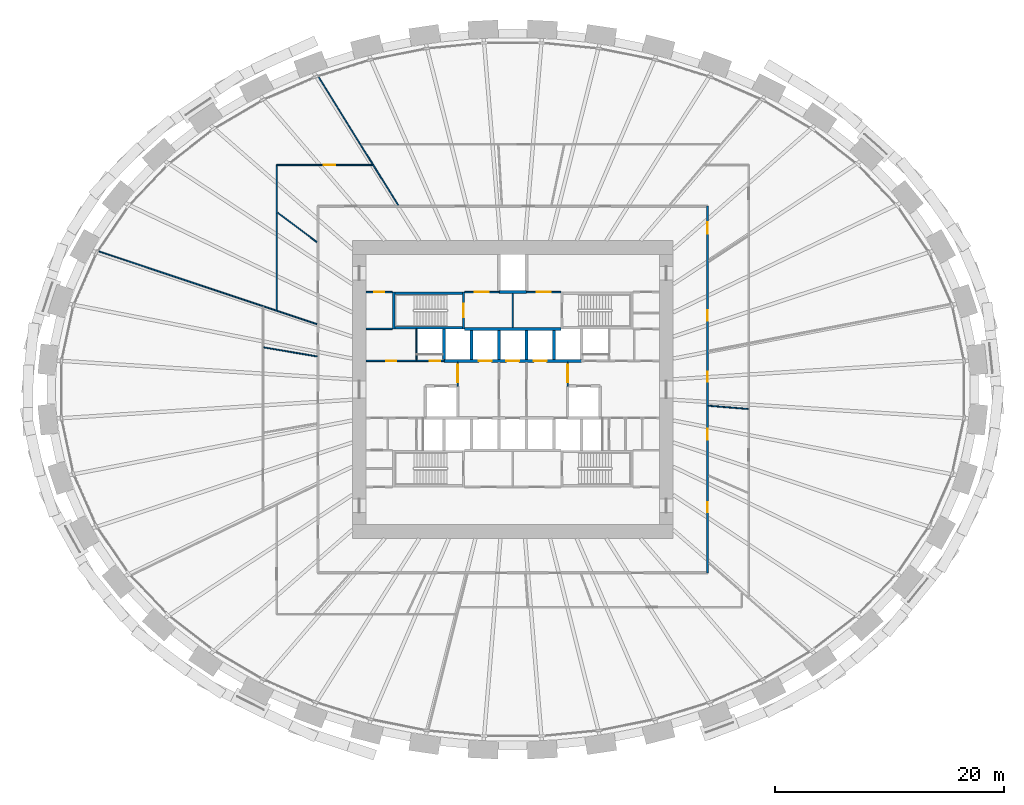
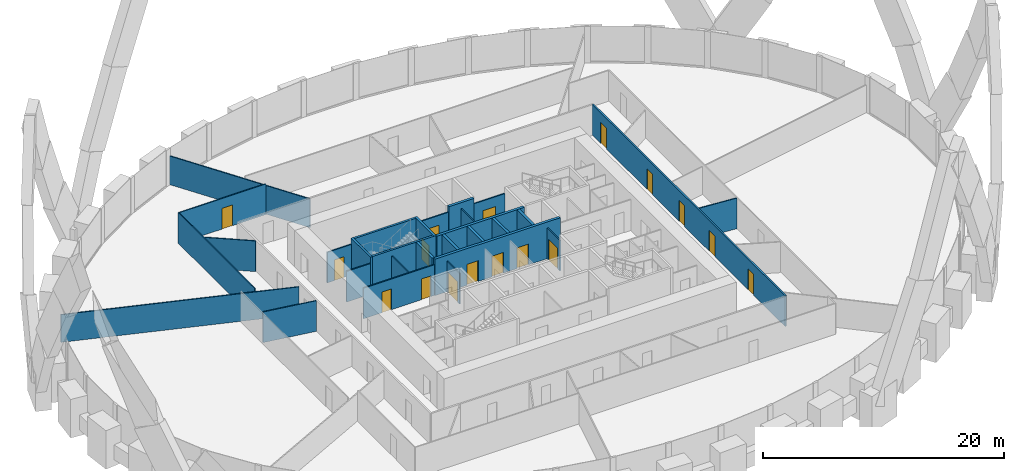
# One storey, part 9 of 12: 29 walls, 17 doors, 17 openings.
"""IFC4 building model written with IfcOpenShell, lengths in metres."""

import ifcopenshell
import ifcopenshell.guid

model = None  # the IFC model being written
_history = None  # IfcOwnerHistory: only IFC2X3 demands one
_inside = {}  # id of a spatial element -> (the spatial element, [elements in it])
_under = {}  # id of a project, library or spatial element -> (it, [spatial elements below it])
_declared = {}  # id of a project -> (the project, [libraries it declares])
_typed = {}  # id of a type object -> (the type object, [elements of that type])
_made_of = {}  # id of a material, layer set ... -> (it, [elements and type objects made of it])


def new_model(schema):
    """Start an empty IFC model of exactly this schema.

    Asked for "IFC4X3", IfcOpenShell would pick the latest addendum, in which some entities
    have other attributes; the version numbers below select the first issue.
    IFC2X3 requires an IfcOwnerHistory on every rooted entity: one is made here for all.
    """
    global model, _history
    if schema == "IFC4X3":
        model = ifcopenshell.file(schema_version=(4, 3, 0, 0))
    else:
        model = ifcopenshell.file(schema=schema)
    _inside.clear()
    _under.clear()
    _declared.clear()
    _typed.clear()
    _made_of.clear()
    _history = None
    if model.schema == "IFC2X3":
        org = make("IfcOrganization", Name="unknown")
        user = make(
            "IfcPersonAndOrganization",
            ThePerson=make("IfcPerson", FamilyName="unknown"),
            TheOrganization=org,
        )
        app = make(
            "IfcApplication",
            ApplicationDeveloper=org,
            Version="unknown",
            ApplicationFullName="unknown",
            ApplicationIdentifier="unknown",
        )
        _history = make(
            "IfcOwnerHistory",
            OwningUser=user,
            OwningApplication=app,
            ChangeAction="ADDED",
            CreationDate=0,
        )
    return model


def make(cls, **values):
    """One entity of the class cls with the attributes given. An attribute that is None is left unset."""
    return model.create_entity(
        cls, **{name: value for name, value in values.items() if value is not None}
    )


def rooted(cls, **values):
    """An entity with a GlobalId (a new one), such as an element, a storey or a relation."""
    return make(cls, GlobalId=ifcopenshell.guid.new(), OwnerHistory=_history, **values)


def si_unit(unit_type, name, prefix=None):
    """IfcSIUnit, for example si_unit("LENGTHUNIT", "METRE", prefix="MILLI")."""
    return make("IfcSIUnit", UnitType=unit_type, Prefix=prefix, Name=name)


def assignment(units):
    """IfcUnitAssignment: the units of a project."""
    return None if units is None else make("IfcUnitAssignment", Units=units)


def point(xyz):
    """IfcCartesianPoint."""
    return None if xyz is None else make("IfcCartesianPoint", Coordinates=xyz)


def direction(xyz):
    """IfcDirection."""
    return None if xyz is None else make("IfcDirection", DirectionRatios=xyz)


def frame(location, z_axis=None, x_axis=None):
    """IfcAxis2Placement3D, a coordinate frame: its origin and axes. An axis left out is left unset."""
    return make(
        "IfcAxis2Placement3D",
        Location=point(location),
        Axis=direction(z_axis),
        RefDirection=direction(x_axis),
    )


def frame_2d(location, x_axis=None):
    """IfcAxis2Placement2D, a coordinate frame in the plane: its origin and x axis."""
    return make(
        "IfcAxis2Placement2D", Location=point(location), RefDirection=direction(x_axis)
    )


def origin():
    """The frame at (0, 0, 0) with its axes left unset."""
    return frame((0.0, 0.0, 0.0))


def place(relative_to, where):
    """IfcLocalPlacement: puts the frame where relative to a parent placement (None: the world)."""
    return make(
        "IfcLocalPlacement", PlacementRelTo=relative_to, RelativePlacement=where
    )


def context(
    kind, dimensions, precision=None, world=None, true_north=None, identifier=None
):
    """IfcGeometricRepresentationContext, for example the 3D "Model" context."""
    return make(
        "IfcGeometricRepresentationContext",
        ContextIdentifier=identifier,
        ContextType=kind,
        CoordinateSpaceDimension=dimensions,
        Precision=precision,
        WorldCoordinateSystem=world,
        TrueNorth=true_north,
    )


def subcontext(parent, identifier, kind, view, scale=None):
    """IfcGeometricRepresentationSubContext, for example "Body" below "Model"."""
    return make(
        "IfcGeometricRepresentationSubContext",
        ContextIdentifier=identifier,
        ContextType=kind,
        ParentContext=parent,
        TargetScale=scale,
        TargetView=view,
    )


def project(units=None, contexts=None):
    """IfcProject with its units and contexts."""
    return rooted(
        "IfcProject",
        Name="project",
        RepresentationContexts=contexts,
        UnitsInContext=assignment(units),
    )


def spatial(cls, under=None, at=None, **own):
    """A site, building, storey or space (cls), placed at a placement, below another one or the project."""
    s = rooted(cls, ObjectPlacement=at, **own)
    if under is not None:
        _under.setdefault(under.id(), (under, []))[1].append(s)
    return s


def profile(cls, at=None, kind="AREA", **sizes):
    """A parametric profile (cls). Its sizes go by their IFC names, for example OverallWidth=200.0."""
    return make(cls, ProfileType=kind, Position=at, **sizes)


def rectangle(**sizes):
    """IfcRectangleProfileDef."""
    return profile("IfcRectangleProfileDef", **sizes)


def extrude(swept, where, along, depth):
    """IfcExtrudedAreaSolid: the profile swept, set in the frame where, extruded along a direction by depth."""
    return make(
        "IfcExtrudedAreaSolid",
        SweptArea=swept,
        Position=where,
        ExtrudedDirection=direction(along),
        Depth=depth,
    )


def shape(context_of_items, identifier, shape_type, items):
    """IfcShapeRepresentation: the items that make up one representation, for example the "Body"."""
    return make(
        "IfcShapeRepresentation",
        ContextOfItems=context_of_items,
        RepresentationIdentifier=identifier,
        RepresentationType=shape_type,
        Items=items,
    )


def source(mapping_origin, context_of_items, identifier, shape_type, items):
    """IfcRepresentationMap: a shape defined once, which mapped items show again and again."""
    return make(
        "IfcRepresentationMap",
        MappingOrigin=mapping_origin,
        MappedRepresentation=shape(context_of_items, identifier, shape_type, items),
    )


def transform(
    local_origin,
    x_axis=None,
    y_axis=None,
    z_axis=None,
    scale=None,
    scale2=None,
    scale3=None,
    uniform=True,
):
    """IfcCartesianTransformationOperator3D, or its non-uniform kind. x_axis, y_axis, z_axis: its Axis1, 2, 3."""
    if uniform:
        return make(
            "IfcCartesianTransformationOperator3D",
            Axis1=direction(x_axis),
            Axis2=direction(y_axis),
            LocalOrigin=point(local_origin),
            Scale=scale,
            Axis3=direction(z_axis),
        )
    return make(
        "IfcCartesianTransformationOperator3DnonUniform",
        Axis1=direction(x_axis),
        Axis2=direction(y_axis),
        LocalOrigin=point(local_origin),
        Scale=scale,
        Axis3=direction(z_axis),
        Scale2=scale2,
        Scale3=scale3,
    )


def mapped(mapping_source, mapping_target):
    """IfcMappedItem: shows the shape of a source again, moved by a transform."""
    return make(
        "IfcMappedItem", MappingSource=mapping_source, MappingTarget=mapping_target
    )


def material(Name=None, Category=None):
    """IfcMaterial."""
    return make("IfcMaterial", Name=Name, Category=Category)


def layer(
    of_material, thickness, ventilated=None, Name=None, Category=None, Priority=None
):
    """IfcMaterialLayer: one layer of a wall or slab, of a material (None: an air gap)."""
    return make(
        "IfcMaterialLayer",
        Material=of_material,
        LayerThickness=thickness,
        IsVentilated=ventilated,
        Name=Name,
        Category=Category,
        Priority=Priority,
    )


def layer_set(layers, Name=None):
    """IfcMaterialLayerSet."""
    return make("IfcMaterialLayerSet", MaterialLayers=layers, LayerSetName=Name)


def made_of(thing, what):
    """Note that an element or type object is made of a material, layer set ...; save() writes the relation."""
    if what is not None:
        _made_of.setdefault(what.id(), (what, []))[1].append(thing)
    return thing


def type_object(cls, material=None, **own):
    """A type object (cls), such as IfcWallType, which elements share."""
    return made_of(rooted(cls, **own), material)


def element(
    cls,
    number,
    at=None,
    inside=None,
    cuts=None,
    type_object=None,
    material=None,
    context=None,
    identifier="Body",
    shape_type=None,
    held_by="IfcProductDefinitionShape",
    body=None,
    shapes=None,
    **own,
):
    """One element of the class cls, such as IfcWall. Its Tag is "e" and its number.

    at: its placement. inside: the storey or other place that contains it. cuts: it is an
    opening in that element (IfcRelVoidsElement). A single representation is given by context,
    identifier, shape_type and body (its items); several are given by shapes. held_by: the class
    of the entity that holds the representations. save() writes the other relations.
    """
    e = rooted(cls, Tag="e%d" % number, ObjectPlacement=at, **own)
    if body is not None:
        shapes = [shape(context, identifier, shape_type, body)]
    if shapes is not None:
        e.Representation = make(held_by, Representations=shapes)
    if inside is not None:
        _inside.setdefault(inside.id(), (inside, []))[1].append(e)
    if cuts is not None:
        rooted(
            "IfcRelVoidsElement", RelatingBuildingElement=cuts, RelatedOpeningElement=e
        )
    if type_object is not None:
        _typed.setdefault(type_object.id(), (type_object, []))[1].append(e)
    return made_of(e, material)


def fill(opening, filler):
    """IfcRelFillsElement: the door or window that sits in an opening."""
    return rooted(
        "IfcRelFillsElement",
        RelatingOpeningElement=opening,
        RelatedBuildingElement=filler,
    )


def aggregate(whole, parts):
    """IfcRelAggregates: a whole, such as a stair, and the parts it consists of."""
    return rooted("IfcRelAggregates", RelatingObject=whole, RelatedObjects=parts)


def save(model, path):
    """Write the relations noted so far, then the file.

    IfcRelAggregates (storeys below a building ...), IfcRelContainedInSpatialStructure (elements
    in a storey), IfcRelDefinesByType, IfcRelAssociatesMaterial and IfcRelDeclares: one each for
    every whole, place, type object, material and project.
    """
    for whole, parts in _under.values():
        aggregate(whole, parts)
    for where, things in _inside.values():
        rooted(
            "IfcRelContainedInSpatialStructure",
            RelatedElements=things,
            RelatingStructure=where,
        )
    for kind, things in _typed.values():
        rooted("IfcRelDefinesByType", RelatedObjects=things, RelatingType=kind)
    for what, things in _made_of.values():
        rooted("IfcRelAssociatesMaterial", RelatedObjects=things, RelatingMaterial=what)
    for by, libraries in _declared.values():
        rooted("IfcRelDeclares", RelatingContext=by, RelatedDefinitions=libraries)
    model.write(path)


model = new_model("IFC4")

# Units and contexts
model_context = context("Model", 3, precision=1e-05, world=origin(), true_north=direction((0.0, 1.0)))
body_context = subcontext(model_context, "Body", "Model", "MODEL_VIEW")
ifc_project = project(units=[si_unit("LENGTHUNIT", "METRE"), si_unit("AREAUNIT", "SQUARE_METRE"), si_unit("VOLUMEUNIT", "CUBIC_METRE"), si_unit("PLANEANGLEUNIT", "RADIAN"), si_unit("MASSUNIT", "GRAM", prefix="KILO")], contexts=[model_context])

# Site, building, storey
site_placement = place(None, origin())
site = spatial("IfcSite", under=ifc_project, at=site_placement, CompositionType="ELEMENT")
building_placement = place(site_placement, origin())
building = spatial("IfcBuilding", under=site, at=building_placement, Name="Embergate Tower", CompositionType="ELEMENT")
storey_placement = place(building_placement, frame((0.0, 0.0, 65.89990234375)))
storey = spatial("IfcBuildingStorey", under=building, at=storey_placement, Name="L12", CompositionType="ELEMENT", Elevation=65.89990234375)

# Wall, openings, doors
ifc_material_1 = material(Name="Core partition blockwork 120")
ifc_layer_1 = layer(ifc_material_1, 0.1201171875)
ifc_layer_set_1 = layer_set([ifc_layer_1], Name="Core partition blockwork 120")
wall_type_1 = type_object("IfcWallType", Name="Core partition blockwork 120", PredefinedType="PARTITIONING", material=ifc_layer_set_1)
shared_shape_1 = source(origin(), body_context, "Body", "SweptSolid", [
    extrude(rectangle(XDim=6.800048828125, YDim=0.1201171875, at=frame_2d((3.39990234375, 0.0))), origin(), (0.0, 0.0, 1.0), 3.10009765625),
])
wall_1_placement = place(storey_placement, frame((-12.800048828125, 2.5, 0.0), z_axis=(0.0, 0.0, 1.0), x_axis=(1.0, 0.0, 0.0)))
wall_1 = element("IfcWall", 1, at=wall_1_placement, inside=storey, type_object=wall_type_1, Name="IP-3 wall", PredefinedType="PARTITIONING", context=body_context, shape_type="MappedRepresentation", body=[
    mapped(shared_shape_1, transform((0.0, 0.0, 0.0))),
])
shared_shape_2 = source(origin(), body_context, "Body", "SweptSolid", [
    extrude(rectangle(XDim=0.89990234375, YDim=2.10009765625, at=frame_2d((0.449951171875, 1.050048828125))), frame((0.0, 0.070068359375, 0.0), z_axis=(0.0, -1.0, 0.0), x_axis=(1.0, 0.0, 0.0)), (0.0, 0.0, 1.0), 0.14013671875),
])
opening_1_placement = place(wall_1_placement, frame((5.550048828125, 0.0, 0.0)))
opening_1 = element("IfcOpeningElement", 2, at=opening_1_placement, cuts=wall_1, Name="Opening ID-1", PredefinedType="OPENING", context=body_context, shape_type="MappedRepresentation", body=[
    mapped(shared_shape_2, transform((0.0, 0.0, 0.0))),
])
opening_2_placement = place(wall_1_placement, frame((1.75, 0.0, 0.0)))
opening_2 = element("IfcOpeningElement", 3, at=opening_2_placement, cuts=wall_1, Name="Opening ID-1", PredefinedType="OPENING", context=body_context, shape_type="MappedRepresentation", body=[
    mapped(shared_shape_2, transform((0.0, 0.0, 0.0))),
])
ifc_material_2 = material(Name="Interior door 900")
door_type_1 = type_object("IfcDoorType", Name="Interior door 900", OperationType="SINGLE_SWING_LEFT", PredefinedType="DOOR", material=ifc_material_2)
shared_shape_3 = source(origin(), body_context, "Body", "SweptSolid", [
    extrude(rectangle(XDim=0.89990234375, YDim=2.10009765625, at=frame_2d((0.449951171875, 1.050048828125))), frame((0.0, 0.02490234375, 0.0), z_axis=(0.0, -1.0, 0.0), x_axis=(1.0, 0.0, 0.0)), (0.0, 0.0, 1.0), 0.050048828125),
])
door_1_placement = place(opening_1_placement, origin())
door_1 = element("IfcDoor", 4, at=door_1_placement, inside=storey, type_object=door_type_1, Name="ID-1 door", OperationType="SINGLE_SWING_LEFT", OverallHeight=2.10009765625, OverallWidth=0.89990234375, PredefinedType="DOOR", context=body_context, shape_type="MappedRepresentation", body=[
    mapped(shared_shape_3, transform((0.0, 0.0, 0.0))),
])
fill(opening_1, door_1)
door_2_placement = place(opening_2_placement, origin())
door_2 = element("IfcDoor", 5, at=door_2_placement, inside=storey, type_object=door_type_1, Name="ID-1 door", OperationType="SINGLE_SWING_RIGHT", OverallHeight=2.10009765625, OverallWidth=0.89990234375, PredefinedType="DOOR", context=body_context, shape_type="MappedRepresentation", body=[
    mapped(shared_shape_3, transform((0.0, 0.0, 0.0))),
])
fill(opening_2, door_2)

# Wall
shared_shape_4 = source(origin(), body_context, "Body", "SweptSolid", [
    extrude(rectangle(XDim=2.739990234375, YDim=0.1201171875, at=frame_2d((1.3701171875, 0.0))), origin(), (0.0, 0.0, 1.0), 3.10009765625),
])
wall_2_placement = place(storey_placement, frame((-8.39990234375, 5.300048828125, 0.0), z_axis=(0.0, 0.0, 1.0), x_axis=(0.0, -1.0, 0.0)))
element("IfcWall", 6, at=wall_2_placement, inside=storey, type_object=wall_type_1, Name="IP-3 wall", PredefinedType="PARTITIONING", context=body_context, shape_type="MappedRepresentation", body=[
    mapped(shared_shape_4, transform((0.0, 0.0, 0.0))),
])

# Wall, opening, door
shared_shape_5 = source(origin(), body_context, "Body", "SweptSolid", [
    extrude(rectangle(XDim=2.074951171875, YDim=0.1201171875, at=frame_2d((1.03759765625, 0.0))), origin(), (0.0, 0.0, 1.0), 3.10009765625),
])
wall_3_placement = place(storey_placement, frame((-4.800048828125, 2.375, 0.0), z_axis=(0.0, 0.0, 1.0), x_axis=(0.0, -1.0, 0.0)))
wall_3 = element("IfcWall", 7, at=wall_3_placement, inside=storey, type_object=wall_type_1, Name="IP-3 wall", PredefinedType="PARTITIONING", context=body_context, shape_type="MappedRepresentation", body=[
    mapped(shared_shape_5, transform((0.0, 0.0, 0.0))),
])
shared_shape_6 = source(origin(), body_context, "Body", "SweptSolid", [
    extrude(rectangle(XDim=1.5, YDim=2.10009765625, at=frame_2d((0.75, 1.050048828125))), frame((0.0, 0.070068359375, 0.0), z_axis=(0.0, -1.0, 0.0), x_axis=(1.0, 0.0, 0.0)), (0.0, 0.0, 1.0), 0.14013671875),
])
opening_3_placement = place(wall_3_placement, frame((0.22509765625, 0.0, 0.0)))
opening_3 = element("IfcOpeningElement", 8, at=opening_3_placement, cuts=wall_3, Name="Opening IF-3", PredefinedType="OPENING", context=body_context, shape_type="MappedRepresentation", body=[
    mapped(shared_shape_6, transform((0.0, 0.0, 0.0))),
])
ifc_material_3 = material(Name="Lobby fire door pair 1500")
door_type_2 = type_object("IfcDoorType", Name="Lobby fire door pair 1500", OperationType="DOUBLE_DOOR_SINGLE_SWING", PredefinedType="DOOR", material=ifc_material_3)
shared_shape_7 = source(origin(), body_context, "Body", "SweptSolid", [
    extrude(rectangle(XDim=1.5, YDim=2.10009765625, at=frame_2d((0.75, 1.050048828125))), frame((0.0, 0.02490234375, 0.0), z_axis=(0.0, -1.0, 0.0), x_axis=(1.0, 0.0, 0.0)), (0.0, 0.0, 1.0), 0.050048828125),
])
door_3_placement = place(opening_3_placement, origin())
door_3 = element("IfcDoor", 9, at=door_3_placement, inside=storey, type_object=door_type_2, Name="IF-3 door", OperationType="DOUBLE_DOOR_SINGLE_SWING", OverallHeight=2.10009765625, OverallWidth=1.5, PredefinedType="DOOR", context=body_context, shape_type="MappedRepresentation", body=[
    mapped(shared_shape_7, transform((0.0, 0.0, 0.0))),
])
fill(opening_3, door_3)

wall_4_placement = place(storey_placement, frame((4.800048828125, 0.300048828125, 0.0), z_axis=(0.0, 0.0, 1.0), x_axis=(0.0, 1.0, 0.0)))
wall_4 = element("IfcWall", 10, at=wall_4_placement, inside=storey, type_object=wall_type_1, Name="IP-3 wall", PredefinedType="PARTITIONING", context=body_context, shape_type="MappedRepresentation", body=[
    mapped(shared_shape_5, transform((0.0, 0.0, 0.0))),
])
opening_4_placement = place(wall_4_placement, frame((0.35009765625, 0.0, 0.0)))
opening_4 = element("IfcOpeningElement", 11, at=opening_4_placement, cuts=wall_4, Name="Opening IF-3", PredefinedType="OPENING", context=body_context, shape_type="MappedRepresentation", body=[
    mapped(shared_shape_6, transform((0.0, 0.0, 0.0))),
])
door_4_placement = place(opening_4_placement, origin())
door_4 = element("IfcDoor", 12, at=door_4_placement, inside=storey, type_object=door_type_2, Name="IF-3 door", OperationType="DOUBLE_DOOR_SINGLE_SWING", OverallHeight=2.10009765625, OverallWidth=1.5, PredefinedType="DOOR", context=body_context, shape_type="MappedRepresentation", body=[
    mapped(shared_shape_7, transform((0.0, 0.0, 0.0))),
])
fill(opening_4, door_4)

# Wall
shared_shape_8 = source(origin(), body_context, "Body", "SweptSolid", [
    extrude(rectangle(XDim=2.949951171875, YDim=0.1201171875, at=frame_2d((1.47509765625, 0.0))), origin(), (0.0, 0.0, 1.0), 3.10009765625),
])
wall_5_placement = place(storey_placement, frame((0.0, 5.425048828125, 0.0), z_axis=(0.0, 0.0, 1.0), x_axis=(0.0, 1.0, 0.0)))
element("IfcWall", 13, at=wall_5_placement, inside=storey, type_object=wall_type_1, Name="IP-3 wall", PredefinedType="PARTITIONING", context=body_context, shape_type="MappedRepresentation", body=[
    mapped(shared_shape_8, transform((0.0, 0.0, 0.0))),
])

# Wall, opening, door
shared_shape_9 = source(origin(), body_context, "Body", "SweptSolid", [
    extrude(rectangle(XDim=3.0, YDim=0.1201171875, at=frame_2d((1.5, 0.0))), origin(), (0.0, 0.0, 1.0), 3.10009765625),
])
wall_6_placement = place(storey_placement, frame((-1.199951171875, 8.5, 0.0), z_axis=(0.0, 0.0, 1.0), x_axis=(-1.0, 0.0, 0.0)))
wall_6 = element("IfcWall", 14, at=wall_6_placement, inside=storey, type_object=wall_type_1, Name="IP-3 wall", PredefinedType="PARTITIONING", context=body_context, shape_type="MappedRepresentation", body=[
    mapped(shared_shape_9, transform((0.0, 0.0, 0.0))),
])
shared_shape_10 = source(origin(), body_context, "Body", "SweptSolid", [
    extrude(rectangle(XDim=1.199951171875, YDim=2.10009765625, at=frame_2d((0.60009765625, 1.050048828125))), frame((0.0, 0.070068359375, 0.0), z_axis=(0.0, -1.0, 0.0), x_axis=(1.0, 0.0, 0.0)), (0.0, 0.0, 1.0), 0.14013671875),
])
opening_5_placement = place(wall_6_placement, frame((0.89990234375, 0.0, 0.0)))
opening_5 = element("IfcOpeningElement", 15, at=opening_5_placement, cuts=wall_6, Name="Opening IF-3f", PredefinedType="OPENING", context=body_context, shape_type="MappedRepresentation", body=[
    mapped(shared_shape_10, transform((0.0, 0.0, 0.0))),
])
ifc_material_4 = material(Name="Lobby fire door pair 1200")
door_type_3 = type_object("IfcDoorType", Name="Lobby fire door pair 1200", OperationType="DOUBLE_DOOR_SINGLE_SWING", PredefinedType="DOOR", material=ifc_material_4)
shared_shape_11 = source(origin(), body_context, "Body", "SweptSolid", [
    extrude(rectangle(XDim=1.199951171875, YDim=2.10009765625, at=frame_2d((0.60009765625, 1.050048828125))), frame((0.0, 0.02490234375, 0.0), z_axis=(0.0, -1.0, 0.0), x_axis=(1.0, 0.0, 0.0)), (0.0, 0.0, 1.0), 0.050048828125),
])
door_5_placement = place(opening_5_placement, origin())
door_5 = element("IfcDoor", 16, at=door_5_placement, inside=storey, type_object=door_type_3, Name="IF-3 door", OperationType="DOUBLE_DOOR_SINGLE_SWING", OverallHeight=2.10009765625, OverallWidth=1.199951171875, PredefinedType="DOOR", context=body_context, shape_type="MappedRepresentation", body=[
    mapped(shared_shape_11, transform((0.0, 0.0, 0.0))),
])
fill(opening_5, door_5)

wall_7_placement = place(storey_placement, frame((4.199951171875, 8.5, 0.0), z_axis=(0.0, 0.0, 1.0), x_axis=(-1.0, 0.0, 0.0)))
wall_7 = element("IfcWall", 17, at=wall_7_placement, inside=storey, type_object=wall_type_1, Name="IP-3 wall", PredefinedType="PARTITIONING", context=body_context, shape_type="MappedRepresentation", body=[
    mapped(shared_shape_9, transform((0.0, 0.0, 0.0))),
])
opening_6_placement = place(wall_7_placement, frame((0.89990234375, 0.0, 0.0)))
opening_6 = element("IfcOpeningElement", 18, at=opening_6_placement, cuts=wall_7, Name="Opening IF-3f", PredefinedType="OPENING", context=body_context, shape_type="MappedRepresentation", body=[
    mapped(shared_shape_10, transform((0.0, 0.0, 0.0))),
])
door_6_placement = place(opening_6_placement, origin())
door_6 = element("IfcDoor", 19, at=door_6_placement, inside=storey, type_object=door_type_3, Name="IF-3 door", OperationType="DOUBLE_DOOR_SINGLE_SWING", OverallHeight=2.10009765625, OverallWidth=1.199951171875, PredefinedType="DOOR", context=body_context, shape_type="MappedRepresentation", body=[
    mapped(shared_shape_11, transform((0.0, 0.0, 0.0))),
])
fill(opening_6, door_6)

shared_shape_12 = source(origin(), body_context, "Body", "SweptSolid", [
    extrude(rectangle(XDim=2.300048828125, YDim=0.1201171875, at=frame_2d((1.14990234375, 0.0))), origin(), (0.0, 0.0, 1.0), 3.10009765625),
])
wall_8_placement = place(storey_placement, frame((-12.800048828125, 8.5, 0.0), z_axis=(0.0, 0.0, 1.0), x_axis=(1.0, 0.0, 0.0)))
wall_8 = element("IfcWall", 20, at=wall_8_placement, inside=storey, type_object=wall_type_1, Name="IP-3 wall", PredefinedType="PARTITIONING", context=body_context, shape_type="MappedRepresentation", body=[
    mapped(shared_shape_12, transform((0.0, 0.0, 0.0))),
])
opening_7_placement = place(wall_8_placement, frame((0.699951171875, 0.0, 0.0)))
opening_7 = element("IfcOpeningElement", 21, at=opening_7_placement, cuts=wall_8, Name="Opening ID-1", PredefinedType="OPENING", context=body_context, shape_type="MappedRepresentation", body=[
    mapped(shared_shape_2, transform((0.0, 0.0, 0.0))),
])
door_7_placement = place(opening_7_placement, origin())
door_7 = element("IfcDoor", 22, at=door_7_placement, inside=storey, type_object=door_type_1, Name="ID-1 door", OperationType="SINGLE_SWING_RIGHT", OverallHeight=2.10009765625, OverallWidth=0.89990234375, PredefinedType="DOOR", context=body_context, shape_type="MappedRepresentation", body=[
    mapped(shared_shape_3, transform((0.0, 0.0, 0.0))),
])
fill(opening_7, door_7)

# Walls
wall_9_placement = place(storey_placement, frame((-10.5, 5.300048828125, 0.0), z_axis=(0.0, 0.0, 1.0), x_axis=(-1.0, 0.0, 0.0)))
element("IfcWall", 23, at=wall_9_placement, inside=storey, type_object=wall_type_1, Name="IP-3 wall", PredefinedType="PARTITIONING", context=body_context, shape_type="MappedRepresentation", body=[
    mapped(shared_shape_12, transform((0.0, 0.0, 0.0))),
])
ifc_material_5 = material(Name="Concrete C50", Category="concrete")
ifc_layer_2 = layer(ifc_material_5, 0.25)
ifc_layer_set_2 = layer_set([ifc_layer_2], Name="Concrete C50")
wall_type_2 = type_object("IfcWallType", Name="Hoistway wall reinforced concrete 250", PredefinedType="SHEAR", material=ifc_layer_set_2)
shared_shape_13 = source(origin(), body_context, "Body", "SweptSolid", [
    extrude(rectangle(XDim=2.675048828125, YDim=0.25, at=frame_2d((1.33740234375, 0.0))), origin(), (0.0, 0.0, 1.0), 3.7001953125),
])
wall_10_placement = place(storey_placement, frame((-6.0, 2.625, 0.0), z_axis=(0.0, 0.0, 1.0), x_axis=(0.0, 1.0, 0.0)))
element("IfcWall", 24, at=wall_10_placement, inside=storey, type_object=wall_type_2, Name="HW-1 wall", PredefinedType="SHEAR", context=body_context, shape_type="MappedRepresentation", body=[
    mapped(shared_shape_13, transform((0.0, 0.0, 0.0))),
])
ifc_layer_3 = layer(ifc_material_5, 0.199951171875)
ifc_layer_set_3 = layer_set([ifc_layer_3], Name="Concrete C50")
wall_type_3 = type_object("IfcWallType", Name="Stair enclosure wall reinforced concrete 250", PredefinedType="SHEAR", material=ifc_layer_set_3)
shared_shape_14 = source(origin(), body_context, "Body", "SweptSolid", [
    extrude(rectangle(XDim=6.300048828125, YDim=0.199951171875, at=frame_2d((3.14990234375, 0.0))), origin(), (0.0, 0.0, 1.0), 3.7001953125),
])
for number, where, z_axis, x_axis, name in (
    (25, (-4.199951171875, 5.39990234375, 0.0), (0.0, 0.0, 1.0), (-1.0, 0.0, 0.0), "SE-1 wall"),
    (26, (-4.199951171875, 8.39990234375, 0.0), (0.0, 0.0, 1.0), (-1.0, 0.0, 0.0), "SE-1 wall"),
):
    element("IfcWall", number, at=place(storey_placement, frame(where, z_axis=z_axis, x_axis=x_axis)), inside=storey, type_object=wall_type_3, Name=name, PredefinedType="SHEAR", context=body_context, shape_type="MappedRepresentation", body=[
        mapped(shared_shape_14, transform((0.0, 0.0, 0.0))),
    ])
shared_shape_15 = source(origin(), body_context, "Body", "SweptSolid", [
    extrude(rectangle(XDim=2.550048828125, YDim=0.25, at=frame_2d((1.27490234375, 0.0))), origin(), (0.0, 0.0, 1.0), 3.7001953125),
])
for number, where, z_axis, x_axis, name in (
    (27, (-3.60009765625, 2.625, 0.0), (0.0, 0.0, 1.0), (0.0, 1.0, 0.0), "HW-1 wall"),
    (28, (-1.199951171875, 2.625, 0.0), (0.0, 0.0, 1.0), (0.0, 1.0, 0.0), "HW-1 wall"),
    (29, (1.199951171875, 2.625, 0.0), (0.0, 0.0, 1.0), (0.0, 1.0, 0.0), "HW-1 wall"),
    (30, (3.60009765625, 2.625, 0.0), (0.0, 0.0, 1.0), (0.0, 1.0, 0.0), "HW-1 wall"),
):
    element("IfcWall", number, at=place(storey_placement, frame(where, z_axis=z_axis, x_axis=x_axis)), inside=storey, type_object=wall_type_2, Name=name, PredefinedType="SHEAR", context=body_context, shape_type="MappedRepresentation", body=[
        mapped(shared_shape_15, transform((0.0, 0.0, 0.0))),
    ])

# Wall, openings, doors
shared_shape_16 = source(origin(), body_context, "Body", "SweptSolid", [
    extrude(rectangle(XDim=12.0, YDim=0.25, at=frame_2d((6.0, 0.0))), origin(), (0.0, 0.0, 1.0), 3.7001953125),
])
wall_11_placement = place(storey_placement, frame((-6.0, 2.5, 0.0), z_axis=(0.0, 0.0, 1.0), x_axis=(1.0, 0.0, 0.0)))
wall_11 = element("IfcWall", 31, at=wall_11_placement, inside=storey, type_object=wall_type_2, Name="HW-1 wall", PredefinedType="SHEAR", context=body_context, shape_type="MappedRepresentation", body=[
    mapped(shared_shape_16, transform((0.0, 0.0, 0.0))),
])
shared_shape_17 = source(origin(), body_context, "Body", "SweptSolid", [
    extrude(rectangle(XDim=1.10009765625, YDim=2.10009765625, at=frame_2d((0.550048828125, 1.050048828125))), frame((0.0, 0.135009765625, 0.0), z_axis=(0.0, -1.0, 0.0), x_axis=(1.0, 0.0, 0.0)), (0.0, 0.0, 1.0), 0.27001953125),
])
opening_8_placement = place(wall_11_placement, frame((3.050048828125, 0.0, 0.0)))
opening_8 = element("IfcOpeningElement", 32, at=opening_8_placement, cuts=wall_11, Name="Opening LD", PredefinedType="OPENING", context=body_context, shape_type="MappedRepresentation", body=[
    mapped(shared_shape_17, transform((0.0, 0.0, 0.0))),
])
opening_9_placement = place(wall_11_placement, frame((5.449951171875, 0.0, 0.0)))
opening_9 = element("IfcOpeningElement", 33, at=opening_9_placement, cuts=wall_11, Name="Opening LD", PredefinedType="OPENING", context=body_context, shape_type="MappedRepresentation", body=[
    mapped(shared_shape_17, transform((0.0, 0.0, 0.0))),
])
opening_10_placement = place(wall_11_placement, frame((7.85009765625, 0.0, 0.0)))
opening_10 = element("IfcOpeningElement", 34, at=opening_10_placement, cuts=wall_11, Name="Opening LD", PredefinedType="OPENING", context=body_context, shape_type="MappedRepresentation", body=[
    mapped(shared_shape_17, transform((0.0, 0.0, 0.0))),
])
ifc_material_6 = material(Name="Landing door sliding 1100")
door_type_4 = type_object("IfcDoorType", Name="Landing door sliding 1100", OperationType="SLIDING_TO_LEFT", PredefinedType="DOOR", material=ifc_material_6)
shared_shape_18 = source(origin(), body_context, "Body", "SweptSolid", [
    extrude(rectangle(XDim=1.10009765625, YDim=2.10009765625, at=frame_2d((0.550048828125, 1.050048828125))), frame((0.0, 0.02490234375, 0.0), z_axis=(0.0, -1.0, 0.0), x_axis=(1.0, 0.0, 0.0)), (0.0, 0.0, 1.0), 0.050048828125),
])
door_8_placement = place(opening_8_placement, origin())
door_8 = element("IfcDoor", 35, at=door_8_placement, inside=storey, type_object=door_type_4, Name="LD door", OperationType="SLIDING_TO_LEFT", OverallHeight=2.10009765625, OverallWidth=1.10009765625, PredefinedType="DOOR", context=body_context, shape_type="MappedRepresentation", body=[
    mapped(shared_shape_18, transform((0.0, 0.0, 0.0))),
])
fill(opening_8, door_8)
door_9_placement = place(opening_9_placement, origin())
door_9 = element("IfcDoor", 36, at=door_9_placement, inside=storey, type_object=door_type_4, Name="LD door", OperationType="SLIDING_TO_LEFT", OverallHeight=2.10009765625, OverallWidth=1.10009765625, PredefinedType="DOOR", context=body_context, shape_type="MappedRepresentation", body=[
    mapped(shared_shape_18, transform((0.0, 0.0, 0.0))),
])
fill(opening_9, door_9)
door_10_placement = place(opening_10_placement, origin())
door_10 = element("IfcDoor", 37, at=door_10_placement, inside=storey, type_object=door_type_4, Name="LD door", OperationType="SLIDING_TO_RIGHT", OverallHeight=2.10009765625, OverallWidth=1.10009765625, PredefinedType="DOOR", context=body_context, shape_type="MappedRepresentation", body=[
    mapped(shared_shape_18, transform((0.0, 0.0, 0.0))),
])
fill(opening_10, door_10)

# Wall
shared_shape_19 = source(origin(), body_context, "Body", "SweptSolid", [
    extrude(rectangle(XDim=8.39990234375, YDim=0.25, at=frame_2d((4.199951171875, 0.0))), origin(), (0.0, 0.0, 1.0), 3.7001953125),
])
wall_12_placement = place(storey_placement, frame((4.199951171875, 5.300048828125, 0.0), z_axis=(0.0, 0.0, 1.0), x_axis=(-1.0, 0.0, 0.0)))
element("IfcWall", 38, at=wall_12_placement, inside=storey, type_object=wall_type_2, Name="HW-1 wall", PredefinedType="SHEAR", context=body_context, shape_type="MappedRepresentation", body=[
    mapped(shared_shape_19, transform((0.0, 0.0, 0.0))),
])

# Wall, opening, door
shared_shape_20 = source(origin(), body_context, "Body", "SweptSolid", [
    extrude(rectangle(XDim=3.199951171875, YDim=0.199951171875, at=frame_2d((1.60009765625, 0.0))), origin(), (0.0, 0.0, 1.0), 3.7001953125),
])
wall_13_placement = place(storey_placement, frame((-4.300048828125, 5.300048828125, 0.0), z_axis=(0.0, 0.0, 1.0), x_axis=(0.0, 1.0, 0.0)))
wall_13 = element("IfcWall", 39, at=wall_13_placement, inside=storey, type_object=wall_type_3, Name="SE-1 wall", PredefinedType="SHEAR", context=body_context, shape_type="MappedRepresentation", body=[
    mapped(shared_shape_20, transform((0.0, 0.0, 0.0))),
])
shared_shape_21 = source(origin(), body_context, "Body", "SweptSolid", [
    extrude(rectangle(XDim=1.199951171875, YDim=2.10009765625, at=frame_2d((0.60009765625, 1.050048828125))), frame((0.0, 0.10986328125, 0.0), z_axis=(0.0, -1.0, 0.0), x_axis=(1.0, 0.0, 0.0)), (0.0, 0.0, 1.0), 0.219970703125),
])
opening_11_placement = place(wall_13_placement, frame((1.0, 0.0, 0.0)))
opening_11 = element("IfcOpeningElement", 40, at=opening_11_placement, cuts=wall_13, Name="Opening IF-2", PredefinedType="OPENING", context=body_context, shape_type="MappedRepresentation", body=[
    mapped(shared_shape_21, transform((0.0, 0.0, 0.0))),
])
ifc_material_7 = material(Name="Stair enclosure door 1200")
door_type_5 = type_object("IfcDoorType", Name="Stair enclosure door 1200", OperationType="SINGLE_SWING_LEFT", PredefinedType="DOOR", material=ifc_material_7)
door_11_placement = place(opening_11_placement, origin())
door_11 = element("IfcDoor", 41, at=door_11_placement, inside=storey, type_object=door_type_5, Name="IF-2 door", OperationType="SINGLE_SWING_RIGHT", OverallHeight=2.10009765625, OverallWidth=1.199951171875, PredefinedType="DOOR", context=body_context, shape_type="MappedRepresentation", body=[
    mapped(shared_shape_11, transform((0.0, 0.0, 0.0))),
])
fill(opening_11, door_11)

# Walls
wall_14_placement = place(storey_placement, frame((-10.39990234375, 8.5, 0.0), z_axis=(0.0, 0.0, 1.0), x_axis=(0.0, -1.0, 0.0)))
element("IfcWall", 42, at=wall_14_placement, inside=storey, type_object=wall_type_3, Name="SE-1 wall", PredefinedType="SHEAR", context=body_context, shape_type="MappedRepresentation", body=[
    mapped(shared_shape_20, transform((0.0, 0.0, 0.0))),
])
shared_shape_22 = source(origin(), body_context, "Body", "SweptSolid", [
    extrude(rectangle(XDim=2.39990234375, YDim=0.25, at=frame_2d((1.199951171875, 0.0))), origin(), (0.0, 0.0, 1.0), 3.7001953125),
])
wall_15_placement = place(storey_placement, frame((1.199951171875, 8.5, 0.0), z_axis=(0.0, 0.0, 1.0), x_axis=(-1.0, 0.0, 0.0)))
element("IfcWall", 43, at=wall_15_placement, inside=storey, type_object=wall_type_2, Name="HW-1 wall", PredefinedType="SHEAR", context=body_context, shape_type="MappedRepresentation", body=[
    mapped(shared_shape_22, transform((0.0, 0.0, 0.0))),
])

# Wall, openings, doors
ifc_material_8 = material(Name="Corridor wall dry-lined 150 wet")
ifc_layer_4 = layer(ifc_material_8, 0.14990234375)
ifc_layer_set_4 = layer_set([ifc_layer_4], Name="Corridor wall dry-lined 150 wet")
wall_type_4 = type_object("IfcWallType", Name="Corridor wall dry-lined 150 wet", PredefinedType="PLUMBINGWALL", material=ifc_layer_set_4)
shared_shape_23 = source(origin(), body_context, "Body", "SweptSolid", [
    extrude(rectangle(XDim=32.0, YDim=0.14990234375, at=frame_2d((16.0, 0.0))), origin(), (0.0, 0.0, 1.0), 3.10009765625),
])
wall_16_placement = place(storey_placement, frame((17.0, 16.0, 0.0), z_axis=(0.0, 0.0, 1.0), x_axis=(0.0, -1.0, 0.0)))
wall_16 = element("IfcWall", 44, at=wall_16_placement, inside=storey, type_object=wall_type_4, Name="IP-2 wall", PredefinedType="PLUMBINGWALL", context=body_context, shape_type="MappedRepresentation", body=[
    mapped(shared_shape_23, transform((0.0, 0.0, 0.0))),
])
shared_shape_24 = source(origin(), body_context, "Body", "SweptSolid", [
    extrude(rectangle(XDim=0.89990234375, YDim=2.10009765625, at=frame_2d((0.449951171875, 1.050048828125))), frame((0.0, 0.0849609375, 0.0), z_axis=(0.0, -1.0, 0.0), x_axis=(1.0, 0.0, 0.0)), (0.0, 0.0, 1.0), 0.169921875),
])
opening_12_placement = place(wall_16_placement, frame((25.8310546875, 0.0, 0.0)))
opening_12 = element("IfcOpeningElement", 45, at=opening_12_placement, cuts=wall_16, Name="Opening IF-1c", PredefinedType="OPENING", context=body_context, shape_type="MappedRepresentation", body=[
    mapped(shared_shape_24, transform((0.0, 0.0, 0.0))),
])
shared_shape_25 = source(origin(), body_context, "Body", "SweptSolid", [
    extrude(rectangle(XDim=1.0, YDim=2.10009765625, at=frame_2d((0.5, 1.050048828125))), frame((0.0, 0.0849609375, 0.0), z_axis=(0.0, -1.0, 0.0), x_axis=(1.0, 0.0, 0.0)), (0.0, 0.0, 1.0), 0.169921875),
])
opening_13_placement = place(wall_16_placement, frame((19.40087890625, 0.0, 0.0)))
opening_13 = element("IfcOpeningElement", 46, at=opening_13_placement, cuts=wall_16, Name="Opening ID-2", PredefinedType="OPENING", context=body_context, shape_type="MappedRepresentation", body=[
    mapped(shared_shape_25, transform((0.0, 0.0, 0.0))),
])
opening_14_placement = place(wall_16_placement, frame((14.429931640625, 0.0, 0.0)))
opening_14 = element("IfcOpeningElement", 47, at=opening_14_placement, cuts=wall_16, Name="Opening IF-1c", PredefinedType="OPENING", context=body_context, shape_type="MappedRepresentation", body=[
    mapped(shared_shape_24, transform((0.0, 0.0, 0.0))),
])
opening_15_placement = place(wall_16_placement, frame((9.073974609375, 0.0, 0.0)))
opening_15 = element("IfcOpeningElement", 48, at=opening_15_placement, cuts=wall_16, Name="Opening IF-1c", PredefinedType="OPENING", context=body_context, shape_type="MappedRepresentation", body=[
    mapped(shared_shape_24, transform((0.0, 0.0, 0.0))),
])
opening_16_placement = place(wall_16_placement, frame((1.406005859375, 0.0, 0.0)))
opening_16 = element("IfcOpeningElement", 49, at=opening_16_placement, cuts=wall_16, Name="Opening ID-2", PredefinedType="OPENING", context=body_context, shape_type="MappedRepresentation", body=[
    mapped(shared_shape_25, transform((0.0, 0.0, 0.0))),
])
ifc_material_9 = material(Name="Escape fire door 900")
door_type_6 = type_object("IfcDoorType", Name="Escape fire door 900", OperationType="SINGLE_SWING_LEFT", PredefinedType="DOOR", material=ifc_material_9)
door_12_placement = place(opening_12_placement, origin())
door_12 = element("IfcDoor", 50, at=door_12_placement, inside=storey, type_object=door_type_6, Name="IF-1 door", OperationType="SINGLE_SWING_LEFT", OverallHeight=2.10009765625, OverallWidth=0.89990234375, PredefinedType="DOOR", context=body_context, shape_type="MappedRepresentation", body=[
    mapped(shared_shape_3, transform((0.0, 0.0, 0.0))),
])
fill(opening_12, door_12)
door_13_placement = place(opening_14_placement, origin())
door_13 = element("IfcDoor", 51, at=door_13_placement, inside=storey, type_object=door_type_6, Name="IF-1 door", OperationType="SINGLE_SWING_LEFT", OverallHeight=2.10009765625, OverallWidth=0.89990234375, PredefinedType="DOOR", context=body_context, shape_type="MappedRepresentation", body=[
    mapped(shared_shape_3, transform((0.0, 0.0, 0.0))),
])
fill(opening_14, door_13)
door_14_placement = place(opening_15_placement, origin())
door_14 = element("IfcDoor", 52, at=door_14_placement, inside=storey, type_object=door_type_6, Name="IF-1 door", OperationType="SINGLE_SWING_RIGHT", OverallHeight=2.10009765625, OverallWidth=0.89990234375, PredefinedType="DOOR", context=body_context, shape_type="MappedRepresentation", body=[
    mapped(shared_shape_3, transform((0.0, 0.0, 0.0))),
])
fill(opening_15, door_14)
ifc_material_10 = material(Name="Interior door 1000")
door_type_7 = type_object("IfcDoorType", Name="Interior door 1000", OperationType="SINGLE_SWING_LEFT", PredefinedType="DOOR", material=ifc_material_10)
shared_shape_26 = source(origin(), body_context, "Body", "SweptSolid", [
    extrude(rectangle(XDim=1.0, YDim=2.10009765625, at=frame_2d((0.5, 1.050048828125))), frame((0.0, 0.02490234375, 0.0), z_axis=(0.0, -1.0, 0.0), x_axis=(1.0, 0.0, 0.0)), (0.0, 0.0, 1.0), 0.050048828125),
])
door_15_placement = place(opening_13_placement, origin())
door_15 = element("IfcDoor", 53, at=door_15_placement, inside=storey, type_object=door_type_7, Name="ID-2 door", OperationType="SINGLE_SWING_LEFT", OverallHeight=2.10009765625, OverallWidth=1.0, PredefinedType="DOOR", context=body_context, shape_type="MappedRepresentation", body=[
    mapped(shared_shape_26, transform((0.0, 0.0, 0.0))),
])
fill(opening_13, door_15)
door_16_placement = place(opening_16_placement, origin())
door_16 = element("IfcDoor", 54, at=door_16_placement, inside=storey, type_object=door_type_7, Name="ID-2 door", OperationType="SINGLE_SWING_RIGHT", OverallHeight=2.10009765625, OverallWidth=1.0, PredefinedType="DOOR", context=body_context, shape_type="MappedRepresentation", body=[
    mapped(shared_shape_26, transform((0.0, 0.0, 0.0))),
])
fill(opening_16, door_16)

# Walls
ifc_material_11 = material(Name="Partition dry-lined 100")
ifc_layer_5 = layer(ifc_material_11, 0.10009765625)
ifc_layer_set_5 = layer_set([ifc_layer_5], Name="Partition dry-lined 100")
wall_type_5 = type_object("IfcWallType", Name="Partition dry-lined 100", PredefinedType="PARTITIONING", material=ifc_layer_set_5)
shared_shape_27 = source(origin(), body_context, "Body", "SweptSolid", [
    extrude(rectangle(XDim=3.48681640625, YDim=0.10009765625, at=frame_2d((1.743408203125, 0.0))), origin(), (0.0, 0.0, 1.0), 3.10009765625),
])
wall_17_placement = place(storey_placement, frame((17.074951171875, -1.410888671875, 0.0), z_axis=(0.0, 0.0, 1.0), x_axis=(0.99660441733, -0.082338541154, 0.0)))
element("IfcWall", 55, at=wall_17_placement, inside=storey, type_object=wall_type_5, Name="IP-1 wall", PredefinedType="PARTITIONING", context=body_context, shape_type="MappedRepresentation", body=[
    mapped(shared_shape_27, transform((0.0, 0.0, 0.0))),
])
shared_shape_28 = source(origin(), body_context, "Body", "SweptSolid", [
    extrude(rectangle(XDim=4.274169921875, YDim=0.10009765625, at=frame_2d((2.13720703125, 0.0))), origin(), (0.0, 0.0, 1.0), 3.10009765625),
])
wall_18_placement = place(storey_placement, frame((-17.10498046875, 12.8740234375, 0.0), z_axis=(0.0, 0.0, 1.0), x_axis=(-0.799011862494, 0.601315261401, 0.0)))
element("IfcWall", 56, at=wall_18_placement, inside=storey, type_object=wall_type_5, Name="IP-1 wall", PredefinedType="PARTITIONING", context=body_context, shape_type="MappedRepresentation", body=[
    mapped(shared_shape_28, transform((0.0, 0.0, 0.0))),
])
shared_shape_29 = source(origin(), body_context, "Body", "SweptSolid", [
    extrude(rectangle(XDim=12.652099609375, YDim=0.10009765625, at=frame_2d((6.326171875, 0.0))), origin(), (0.0, 0.0, 1.0), 3.10009765625),
])
wall_19_placement = place(storey_placement, frame((-20.60009765625, 6.947998046875, 0.0), z_axis=(0.0, 0.0, 1.0), x_axis=(0.0, 1.0, 0.0)))
element("IfcWall", 57, at=wall_19_placement, inside=storey, type_object=wall_type_5, Name="IP-1 wall", PredefinedType="PARTITIONING", context=body_context, shape_type="MappedRepresentation", body=[
    mapped(shared_shape_29, transform((0.0, 0.0, 0.0))),
])

# Wall, opening, door
shared_shape_30 = source(origin(), body_context, "Body", "SweptSolid", [
    extrude(rectangle(XDim=8.3291015625, YDim=0.10009765625, at=frame_2d((4.16455078125, 0.0))), origin(), (0.0, 0.0, 1.0), 3.10009765625),
])
wall_20_placement = place(storey_placement, frame((-20.60009765625, 19.60009765625, 0.0), z_axis=(0.0, 0.0, 1.0), x_axis=(1.0, 0.0, 0.0)))
wall_20 = element("IfcWall", 58, at=wall_20_placement, inside=storey, type_object=wall_type_5, Name="IP-1 wall", PredefinedType="PARTITIONING", context=body_context, shape_type="MappedRepresentation", body=[
    mapped(shared_shape_30, transform((0.0, 0.0, 0.0))),
])
shared_shape_31 = source(origin(), body_context, "Body", "SweptSolid", [
    extrude(rectangle(XDim=1.0, YDim=2.10009765625, at=frame_2d((0.5, 1.050048828125))), frame((0.0, 0.06005859375, 0.0), z_axis=(0.0, -1.0, 0.0), x_axis=(1.0, 0.0, 0.0)), (0.0, 0.0, 1.0), 0.1201171875),
])
opening_17_placement = place(wall_20_placement, frame((4.118896484375, 0.0, 0.0)))
opening_17 = element("IfcOpeningElement", 59, at=opening_17_placement, cuts=wall_20, Name="Opening ID-2", PredefinedType="OPENING", context=body_context, shape_type="MappedRepresentation", body=[
    mapped(shared_shape_31, transform((0.0, 0.0, 0.0))),
])
door_17_placement = place(opening_17_placement, origin())
door_17 = element("IfcDoor", 60, at=door_17_placement, inside=storey, type_object=door_type_7, Name="ID-2 door", OperationType="SINGLE_SWING_LEFT", OverallHeight=2.10009765625, OverallWidth=1.0, PredefinedType="DOOR", context=body_context, shape_type="MappedRepresentation", body=[
    mapped(shared_shape_26, transform((0.0, 0.0, 0.0))),
])
fill(opening_17, door_17)

# Walls
shared_shape_32 = source(origin(), body_context, "Body", "SweptSolid", [
    extrude(rectangle(XDim=20.171630859375, YDim=0.10009765625, at=frame_2d((10.0859375, 0.0))), origin(), (0.0, 0.0, 1.0), 2.800048828125),
])
wall_21_placement = place(storey_placement, frame((-36.22412109375, 12.095947265625, 0.0), z_axis=(0.0, 0.0, 1.0), x_axis=(0.948516141482, -0.316728794631, 0.0)))
element("IfcWall", 61, at=wall_21_placement, inside=storey, type_object=wall_type_5, Name="IP-1 wall", PredefinedType="PARTITIONING", context=body_context, shape_type="MappedRepresentation", body=[
    mapped(shared_shape_32, transform((0.0, 0.0, 0.0))),
])
shared_shape_33 = source(origin(), body_context, "Body", "SweptSolid", [
    extrude(rectangle(XDim=4.72509765625, YDim=0.10009765625, at=frame_2d((2.362548828125, 0.0))), origin(), (0.0, 0.0, 1.0), 3.10009765625),
])
wall_22_placement = place(storey_placement, frame((-17.0830078125, 2.89111328125, 0.0), z_axis=(0.0, 0.0, 1.0), x_axis=(-0.986001540785, 0.166736203538, 0.0)))
element("IfcWall", 62, at=wall_22_placement, inside=storey, type_object=wall_type_5, Name="IP-1 wall", PredefinedType="PARTITIONING", context=body_context, shape_type="MappedRepresentation", body=[
    mapped(shared_shape_33, transform((0.0, 0.0, 0.0))),
])
shared_shape_34 = source(origin(), body_context, "Body", "SweptSolid", [
    extrude(rectangle(XDim=13.247802734375, YDim=0.10009765625, at=frame_2d((6.6240234375, 0.0))), origin(), (0.0, 0.0, 1.0), 2.900146484375),
])
wall_23_placement = place(storey_placement, frame((-10.006103515625, 16.10107421875, 0.0), z_axis=(0.0, 0.0, 1.0), x_axis=(-0.527850413099, 0.849337354289, 0.0)))
element("IfcWall", 63, at=wall_23_placement, inside=storey, type_object=wall_type_5, Name="IP-1 wall", PredefinedType="PARTITIONING", context=body_context, shape_type="MappedRepresentation", body=[
    mapped(shared_shape_34, transform((0.0, 0.0, 0.0))),
])

save(model, "model.ifc")
